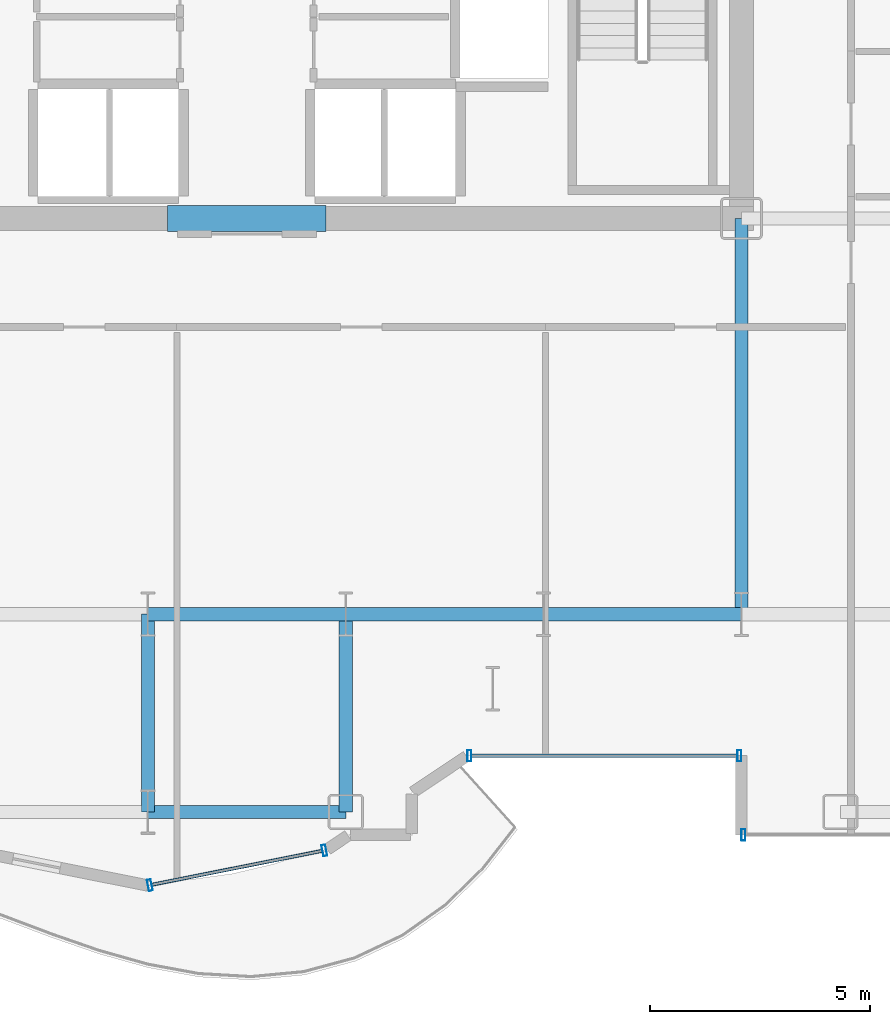
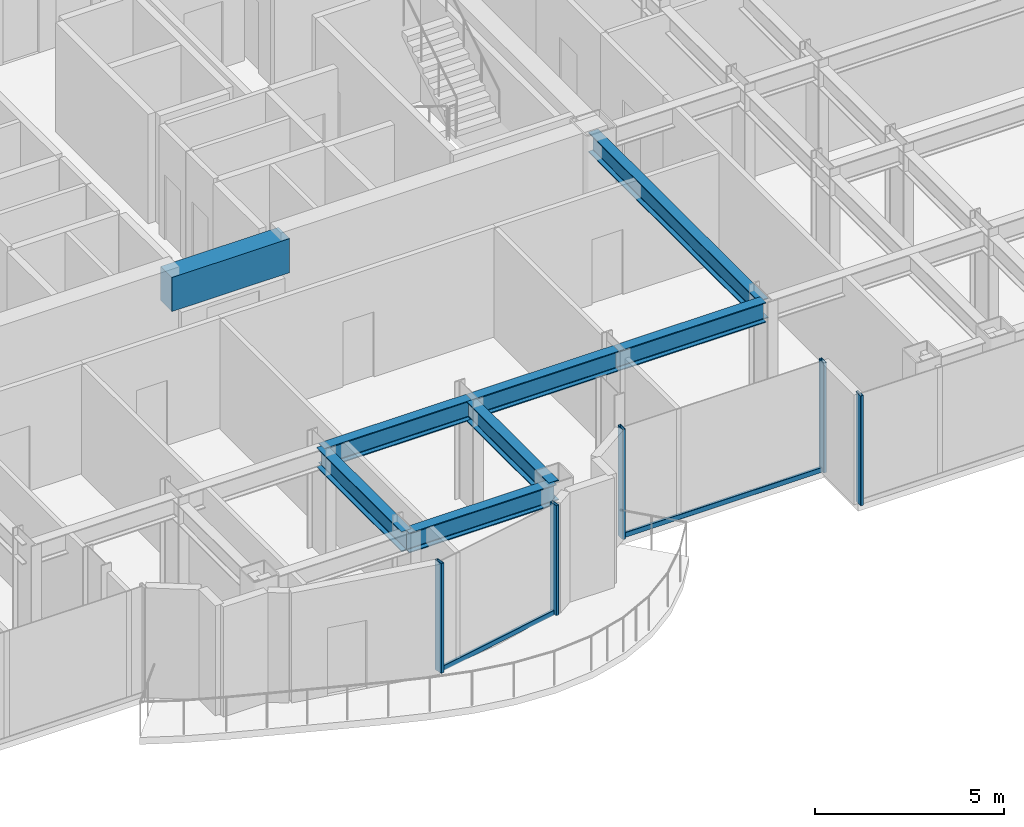
# One storey, part 8 of 29: 8 beams, 7 members, 3 elements without a shape of their own.
"""IFC4 building model written with IfcOpenShell, lengths in metres."""

from ifc_helpers import new_model, si_unit, direction, frame, origin, origin_2d, place, context, subcontext, project, spatial, rectangle, hollow_rectangle, i_section, extrude, source, transform, mapped, material, layer, layer_set, material_profile, profile_set, type_object, element, aggregate, save


model = new_model("IFC4")

# Units and contexts
model_context = context("Model", 3, precision=1e-05, world=origin(), true_north=direction((0.0, 1.0)))
body_context = subcontext(model_context, "Body", "Model", "MODEL_VIEW")
ifc_project = project(units=[si_unit("LENGTHUNIT", "METRE"), si_unit("AREAUNIT", "SQUARE_METRE"), si_unit("VOLUMEUNIT", "CUBIC_METRE"), si_unit("PLANEANGLEUNIT", "RADIAN"), si_unit("MASSUNIT", "GRAM", prefix="KILO")], contexts=[model_context])

# Site, building, storey
site_placement = place(None, origin())
site = spatial("IfcSite", under=ifc_project, at=site_placement, CompositionType="ELEMENT")
building_placement = place(site_placement, origin())
building = spatial("IfcBuilding", under=site, at=building_placement, Name="Nefas-Gora Pilgrimage Tower", CompositionType="ELEMENT")
storey_placement = place(building_placement, frame((0.0, 0.0, 136.39990234375)))
storey = spatial("IfcBuildingStorey", under=building, at=storey_placement, Name="L33", CompositionType="ELEMENT", Elevation=136.39990234375)

# Beams
ifc_material_1 = material(Name="Concrete C60/75", Category="concrete")
ifc_material_profile_1 = material_profile(ifc_material_1, rectangle(XDim=0.60009765625, YDim=1.10009765625, at=origin_2d()), Name="RC 600x1100")
ifc_profile_set_1 = profile_set([ifc_material_profile_1], Name="Concrete C60/75")
beam_type_1 = type_object("IfcBeamType", Name="BM-LIN-RC1100", PredefinedType="LINTEL", material=ifc_profile_set_1)
shared_shape_1 = source(origin(), body_context, "Body", "SweptSolid", [
    extrude(rectangle(XDim=0.60009765625, YDim=1.10009765625, at=origin_2d()), origin(), (0.0, 0.0, 1.0), 3.60009765625),
])
beam_1_placement = place(storey_placement, frame((-1.800048828125, -9.0, 3.0), z_axis=(1.0, 0.0, 0.0), x_axis=(0.0, 1.0, 0.0)))
element("IfcBeam", 1, at=beam_1_placement, inside=storey, type_object=beam_type_1, Name="L33 Core Coupling Lintel Beam S", PredefinedType="LINTEL", context=body_context, shape_type="MappedRepresentation", body=[
    mapped(shared_shape_1, transform((0.0, 0.0, 0.0), x_axis=(1.0, 0.0, 0.0), y_axis=(0.0, 1.0, 0.0), z_axis=(0.0, 0.0, 1.0), scale=1.0)),
])
ifc_material_2 = material(Name="Steel S355", Category="steel")
ifc_material_profile_2 = material_profile(ifc_material_2, i_section(OverallWidth=0.300048828125, OverallDepth=0.64990234375, WebThickness=0.01611328125, FlangeThickness=0.031005859375, FilletRadius=0.027099609375, at=origin_2d()), Name="HEB 650")
ifc_profile_set_2 = profile_set([ifc_material_profile_2], Name="Steel S355")
beam_type_2 = type_object("IfcBeamType", Name="BM-GIR-HEB650", PredefinedType="BEAM", material=ifc_profile_set_2)
shared_shape_2 = source(origin(), body_context, "Body", "SweptSolid", [
    extrude(i_section(OverallWidth=0.300048828125, OverallDepth=0.64990234375, WebThickness=0.01611328125, FlangeThickness=0.031005859375, FilletRadius=0.027099609375, at=origin_2d()), origin(), (0.0, 0.0, 1.0), 9.0),
])
beam_2_placement = place(storey_placement, frame((11.25, -18.0, 3.22509765625), z_axis=(0.0, 1.0, 0.0), x_axis=(-1.0, 0.0, 0.0)))
element("IfcBeam", 2, at=beam_2_placement, inside=storey, type_object=beam_type_2, Name="L33 G-03 beam", PredefinedType="BEAM", context=body_context, shape_type="MappedRepresentation", body=[
    mapped(shared_shape_2, transform((0.0, 0.0, 0.0), x_axis=(1.0, 0.0, 0.0), y_axis=(0.0, 1.0, 0.0), z_axis=(0.0, 0.0, 1.0), scale=1.0)),
])
shared_shape_3 = source(origin(), body_context, "Body", "SweptSolid", [
    extrude(i_section(OverallWidth=0.300048828125, OverallDepth=0.64990234375, WebThickness=0.01611328125, FlangeThickness=0.031005859375, FilletRadius=0.027099609375, at=origin_2d()), origin(), (0.0, 0.0, 1.0), 4.5),
])
for number, where, z_axis, x_axis, name in (
    (3, (-2.25, -22.5, 3.22509765625), (0.0, 1.0, 0.0), (-1.0, 0.0, 0.0), "L33 G-03 beam"),
    (4, (-2.25, -22.5, 3.22509765625), (1.0, 0.0, 0.0), (0.0, 1.0, 0.0), "L33 G-03 beam"),
    (5, (-2.25, -18.0, 3.22509765625), (1.0, 0.0, 0.0), (0.0, 1.0, 0.0), "L33 G-03 beam"),
    (6, (2.25, -22.5, 3.22509765625), (0.0, 1.0, 0.0), (-1.0, 0.0, 0.0), "L33 G-03 beam"),
    (7, (2.25, -18.0, 3.22509765625), (1.0, 0.0, 0.0), (0.0, 1.0, 0.0), "L33 G-03 beam"),
    (8, (6.75, -18.0, 3.22509765625), (1.0, 0.0, 0.0), (0.0, 1.0, 0.0), "L33 G-03 beam"),
):
    element("IfcBeam", number, at=place(storey_placement, frame(where, z_axis=z_axis, x_axis=x_axis)), inside=storey, type_object=beam_type_2, Name=name, PredefinedType="BEAM", context=body_context, shape_type="MappedRepresentation", body=[
        mapped(shared_shape_3, transform((0.0, 0.0, 0.0), x_axis=(1.0, 0.0, 0.0), y_axis=(0.0, 1.0, 0.0), z_axis=(0.0, 0.0, 1.0), scale=1.0)),
    ])

# Curtain wall, members
ifc_material_3 = material(Name="Dark ceramic-fritted solar-control aluminium-glass curtain wall", Category="aluminium")
ifc_layer_1 = layer(ifc_material_3, 0.219970703125)
ifc_layer_set_1 = layer_set([ifc_layer_1], Name="Dark ceramic-fritted solar-control aluminium-glass curtain wall")
curtain_wall_type_1 = type_object("IfcCurtainWallType", Name="CW-SYS-5", PredefinedType="NOTDEFINED", material=ifc_layer_set_1)
curtain_wall_1_placement = place(storey_placement, origin())
curtain_wall_1 = element("IfcCurtainWall", 9, at=curtain_wall_1_placement, inside=storey, type_object=curtain_wall_type_1, Name="L33 Unitised Curtain Wall CW5", PredefinedType="NOTDEFINED")
ifc_material_4 = material(Name="Anodised architectural aluminium", Category="aluminium")
ifc_material_profile_3 = material_profile(ifc_material_4, hollow_rectangle(XDim=0.090087890625, YDim=0.260009765625, WallThickness=0.006103515625, InnerFilletRadius=0.006103515625, OuterFilletRadius=0.011962890625, at=origin_2d()), Name="ALU MULLION 90x260")
ifc_profile_set_3 = profile_set([ifc_material_profile_3], Name="Anodised architectural aluminium")
member_type_1 = type_object("IfcMemberType", Name="CWM-MUL-5", PredefinedType="MULLION", material=ifc_profile_set_3)
shared_shape_4 = source(origin(), body_context, "Body", "SweptSolid", [
    extrude(hollow_rectangle(XDim=0.090087890625, YDim=0.260009765625, WallThickness=0.006103515625, InnerFilletRadius=0.006103515625, OuterFilletRadius=0.011962890625, at=origin_2d()), origin(), (0.0, 0.0, 1.0), 3.550048828125),
])
member_1_placement = place(storey_placement, frame((5.06298828125, -21.219970703125, 0.0), z_axis=(0.0, 0.0, 1.0), x_axis=(1.0, 0.0, 0.0)))
member_1 = element("IfcMember", 10, at=member_1_placement, type_object=member_type_1, Name="CW5 Mullion 1", PredefinedType="MULLION", context=body_context, shape_type="MappedRepresentation", body=[
    mapped(shared_shape_4, transform((0.0, 0.0, 0.0), x_axis=(1.0, 0.0, 0.0), y_axis=(0.0, 1.0, 0.0), z_axis=(0.0, 0.0, 1.0), scale=1.0)),
])
member_2_placement = place(storey_placement, frame((11.205078125, -21.219970703125, 0.0), z_axis=(0.0, 0.0, 1.0), x_axis=(1.0, 0.0, 0.0)))
member_2 = element("IfcMember", 11, at=member_2_placement, type_object=member_type_1, Name="CW5 Mullion 2", PredefinedType="MULLION", context=body_context, shape_type="MappedRepresentation", body=[
    mapped(shared_shape_4, transform((0.0, 0.0, 0.0), x_axis=(1.0, 0.0, 0.0), y_axis=(0.0, 1.0, 0.0), z_axis=(0.0, 0.0, 1.0), scale=1.0)),
])

curtain_wall_2_placement = place(storey_placement, origin())
curtain_wall_2 = element("IfcCurtainWall", 12, at=curtain_wall_2_placement, inside=storey, type_object=curtain_wall_type_1, Name="L33 Unitised Curtain Wall CW5", PredefinedType="NOTDEFINED")
member_3_placement = place(storey_placement, frame((-2.205810546875, -24.16357421875, 0.0), z_axis=(0.0, 0.0, 1.0), x_axis=(0.980782896852, 0.195102304554, 0.0)))
member_3 = element("IfcMember", 13, at=member_3_placement, type_object=member_type_1, Name="CW5 Mullion 1", PredefinedType="MULLION", context=body_context, shape_type="MappedRepresentation", body=[
    mapped(shared_shape_4, transform((0.0, 0.0, 0.0), x_axis=(1.0, 0.0, 0.0), y_axis=(0.0, 1.0, 0.0), z_axis=(0.0, 0.0, 1.0), scale=1.0)),
])
member_4_placement = place(storey_placement, frame((1.76318359375, -23.3740234375, 0.0), z_axis=(0.0, 0.0, 1.0), x_axis=(0.980782896852, 0.195102304554, 0.0)))
member_4 = element("IfcMember", 14, at=member_4_placement, type_object=member_type_1, Name="CW5 Mullion 2", PredefinedType="MULLION", context=body_context, shape_type="MappedRepresentation", body=[
    mapped(shared_shape_4, transform((0.0, 0.0, 0.0), x_axis=(1.0, 0.0, 0.0), y_axis=(0.0, 1.0, 0.0), z_axis=(0.0, 0.0, 1.0), scale=1.0)),
])

# Member
ifc_material_profile_4 = material_profile(ifc_material_4, hollow_rectangle(XDim=0.080078125, YDim=0.159912109375, WallThickness=0.00439453125, InnerFilletRadius=0.00439453125, OuterFilletRadius=0.009033203125, at=origin_2d()), Name="ALU TRANSOM 80x160")
ifc_profile_set_4 = profile_set([ifc_material_profile_4], Name="Anodised architectural aluminium")
member_type_2 = type_object("IfcMemberType", Name="CWM-TRN-5", PredefinedType="USERDEFINED", material=ifc_profile_set_4)
shared_shape_5 = source(origin(), body_context, "Body", "SweptSolid", [
    extrude(hollow_rectangle(XDim=0.080078125, YDim=0.159912109375, WallThickness=0.00439453125, InnerFilletRadius=0.00439453125, OuterFilletRadius=0.009033203125, at=origin_2d()), origin(), (0.0, 0.0, 1.0), 6.052001953125),
])
member_5_placement = place(storey_placement, frame((5.10791015625, -21.219970703125, 0.050048828125), z_axis=(1.0, 0.0, 0.0), x_axis=(0.0, 1.0, 0.0)))
member_5 = element("IfcMember", 15, at=member_5_placement, type_object=member_type_2, Name="CW5 Spandrel Transom", ObjectType="TRANSOM", PredefinedType="USERDEFINED", context=body_context, shape_type="MappedRepresentation", body=[
    mapped(shared_shape_5, transform((0.0, 0.0, 0.0), x_axis=(1.0, 0.0, 0.0), y_axis=(0.0, 1.0, 0.0), z_axis=(0.0, 0.0, 1.0), scale=1.0)),
])

aggregate(curtain_wall_1, [member_1, member_2, member_5])

# Curtain wall, member
ifc_layer_2 = layer(ifc_material_3, 0.219970703125)
ifc_layer_set_2 = layer_set([ifc_layer_2], Name="Dark ceramic-fritted solar-control aluminium-glass curtain wall")
curtain_wall_type_2 = type_object("IfcCurtainWallType", Name="CW-SYS-2", PredefinedType="NOTDEFINED", material=ifc_layer_set_2)
curtain_wall_3_placement = place(storey_placement, origin())
curtain_wall_3 = element("IfcCurtainWall", 16, at=curtain_wall_3_placement, inside=storey, type_object=curtain_wall_type_2, Name="L33 Unitised Curtain Wall CW2", PredefinedType="NOTDEFINED")
ifc_material_profile_5 = material_profile(ifc_material_4, hollow_rectangle(XDim=0.090087890625, YDim=0.260009765625, WallThickness=0.006103515625, InnerFilletRadius=0.006103515625, OuterFilletRadius=0.011962890625, at=origin_2d()), Name="ALU MULLION 90x260")
ifc_profile_set_5 = profile_set([ifc_material_profile_5], Name="Anodised architectural aluminium")
member_type_3 = type_object("IfcMemberType", Name="CWM-MUL-2", PredefinedType="MULLION", material=ifc_profile_set_5)
shared_shape_6 = source(origin(), body_context, "Body", "SweptSolid", [
    extrude(hollow_rectangle(XDim=0.090087890625, YDim=0.260009765625, WallThickness=0.006103515625, InnerFilletRadius=0.006103515625, OuterFilletRadius=0.011962890625, at=origin_2d()), origin(), (0.0, 0.0, 1.0), 3.550048828125),
])
member_6_placement = place(storey_placement, frame((11.294921875, -23.02001953125, 0.0), z_axis=(0.0, 0.0, 1.0), x_axis=(1.0, 0.0, 0.0)))
member_6 = element("IfcMember", 17, at=member_6_placement, type_object=member_type_3, Name="CW2 Mullion 1", PredefinedType="MULLION", context=body_context, shape_type="MappedRepresentation", body=[
    mapped(shared_shape_6, transform((0.0, 0.0, 0.0), x_axis=(1.0, 0.0, 0.0), y_axis=(0.0, 1.0, 0.0), z_axis=(0.0, 0.0, 1.0), scale=1.0)),
])
aggregate(curtain_wall_3, [member_6])

# Member
shared_shape_7 = source(origin(), body_context, "Body", "SweptSolid", [
    extrude(hollow_rectangle(XDim=0.080078125, YDim=0.159912109375, WallThickness=0.00439453125, InnerFilletRadius=0.00439453125, OuterFilletRadius=0.009033203125, at=origin_2d()), origin(), (0.0, 0.0, 1.0), 3.95654296875),
])
member_7_placement = place(storey_placement, frame((-2.16162109375, -24.15478515625, 0.050048828125), z_axis=(0.980781880918, 0.195107411605, 0.0), x_axis=(-0.195107411605, 0.980781880918, 0.0)))
member_7 = element("IfcMember", 18, at=member_7_placement, type_object=member_type_2, Name="CW5 Spandrel Transom", ObjectType="TRANSOM", PredefinedType="USERDEFINED", context=body_context, shape_type="MappedRepresentation", body=[
    mapped(shared_shape_7, transform((0.0, 0.0, 0.0), x_axis=(1.0, 0.0, 0.0), y_axis=(0.0, 1.0, 0.0), z_axis=(0.0, 0.0, 1.0), scale=1.0)),
])

aggregate(curtain_wall_2, [member_3, member_4, member_7])

save(model, "model.ifc")
